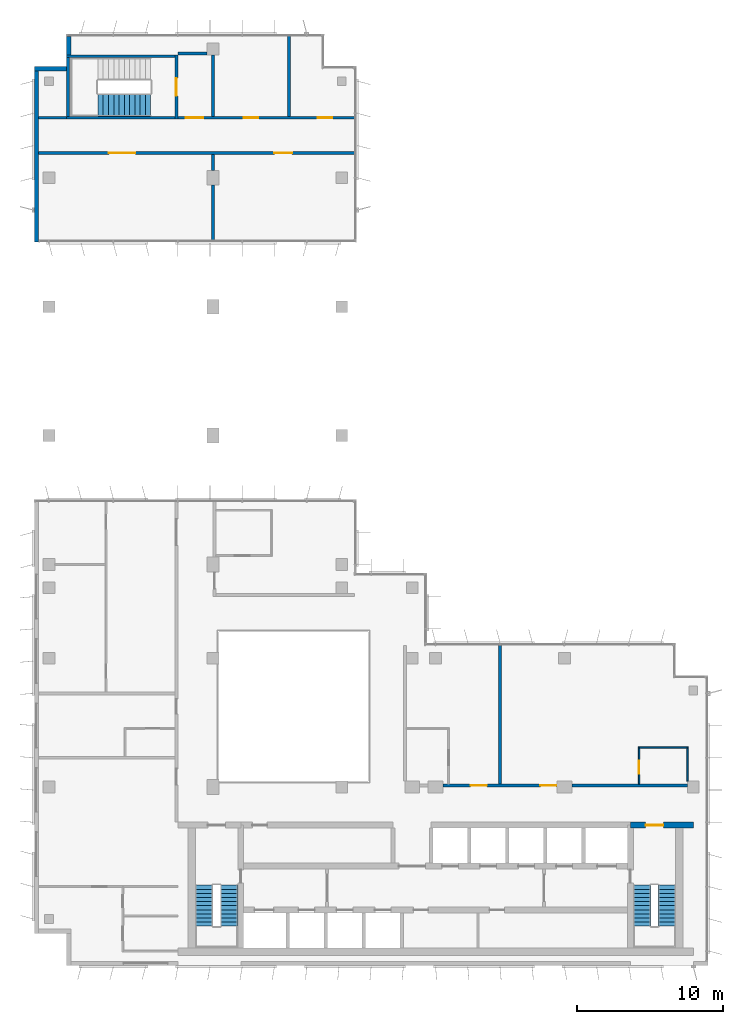
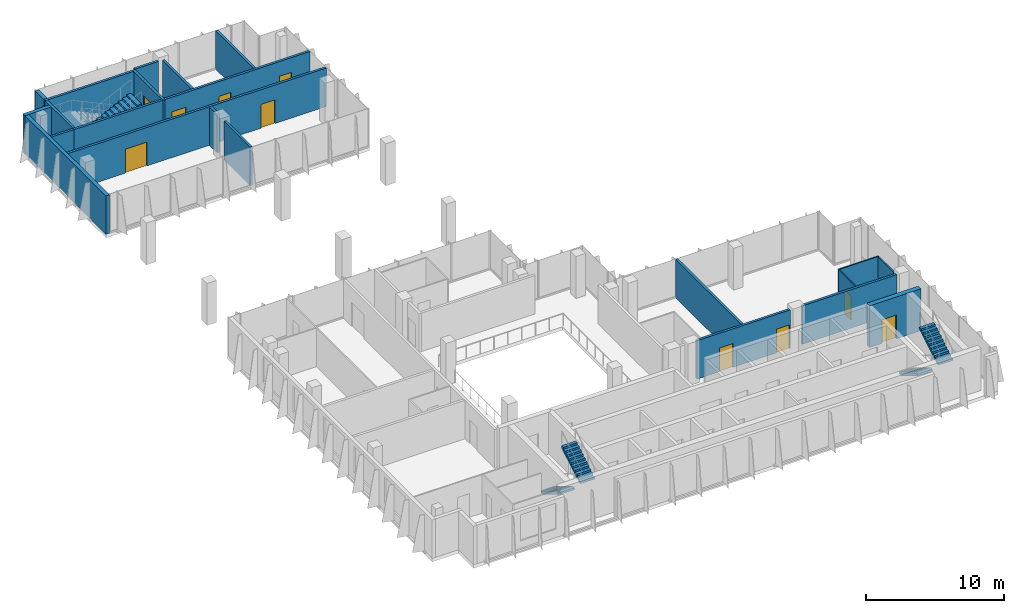
# One storey, part 11 of 14: 22 walls, 10 doors, 5 stair flights, 10 openings, 3 elements without a shape of their own.
"""IFC4 building model written with IfcOpenShell, lengths in metres."""

import ifcopenshell
import ifcopenshell.guid

model = None  # the IFC model being written
_history = None  # IfcOwnerHistory: only IFC2X3 demands one
_inside = {}  # id of a spatial element -> (the spatial element, [elements in it])
_under = {}  # id of a project, library or spatial element -> (it, [spatial elements below it])
_declared = {}  # id of a project -> (the project, [libraries it declares])
_typed = {}  # id of a type object -> (the type object, [elements of that type])
_made_of = {}  # id of a material, layer set ... -> (it, [elements and type objects made of it])


def new_model(schema):
    """Start an empty IFC model of exactly this schema.

    Asked for "IFC4X3", IfcOpenShell would pick the latest addendum, in which some entities
    have other attributes; the version numbers below select the first issue.
    IFC2X3 requires an IfcOwnerHistory on every rooted entity: one is made here for all.
    """
    global model, _history
    if schema == "IFC4X3":
        model = ifcopenshell.file(schema_version=(4, 3, 0, 0))
    else:
        model = ifcopenshell.file(schema=schema)
    _inside.clear()
    _under.clear()
    _declared.clear()
    _typed.clear()
    _made_of.clear()
    _history = None
    if model.schema == "IFC2X3":
        org = make("IfcOrganization", Name="unknown")
        user = make(
            "IfcPersonAndOrganization",
            ThePerson=make("IfcPerson", FamilyName="unknown"),
            TheOrganization=org,
        )
        app = make(
            "IfcApplication",
            ApplicationDeveloper=org,
            Version="unknown",
            ApplicationFullName="unknown",
            ApplicationIdentifier="unknown",
        )
        _history = make(
            "IfcOwnerHistory",
            OwningUser=user,
            OwningApplication=app,
            ChangeAction="ADDED",
            CreationDate=0,
        )
    return model


def make(cls, **values):
    """One entity of the class cls with the attributes given. An attribute that is None is left unset."""
    return model.create_entity(
        cls, **{name: value for name, value in values.items() if value is not None}
    )


def rooted(cls, **values):
    """An entity with a GlobalId (a new one), such as an element, a storey or a relation."""
    return make(cls, GlobalId=ifcopenshell.guid.new(), OwnerHistory=_history, **values)


def si_unit(unit_type, name, prefix=None):
    """IfcSIUnit, for example si_unit("LENGTHUNIT", "METRE", prefix="MILLI")."""
    return make("IfcSIUnit", UnitType=unit_type, Prefix=prefix, Name=name)


def assignment(units):
    """IfcUnitAssignment: the units of a project."""
    return None if units is None else make("IfcUnitAssignment", Units=units)


def point(xyz):
    """IfcCartesianPoint."""
    return None if xyz is None else make("IfcCartesianPoint", Coordinates=xyz)


def direction(xyz):
    """IfcDirection."""
    return None if xyz is None else make("IfcDirection", DirectionRatios=xyz)


def frame(location, z_axis=None, x_axis=None):
    """IfcAxis2Placement3D, a coordinate frame: its origin and axes. An axis left out is left unset."""
    return make(
        "IfcAxis2Placement3D",
        Location=point(location),
        Axis=direction(z_axis),
        RefDirection=direction(x_axis),
    )


def frame_2d(location, x_axis=None):
    """IfcAxis2Placement2D, a coordinate frame in the plane: its origin and x axis."""
    return make(
        "IfcAxis2Placement2D", Location=point(location), RefDirection=direction(x_axis)
    )


def origin():
    """The frame at (0, 0, 0) with its axes left unset."""
    return frame((0.0, 0.0, 0.0))


def place(relative_to, where):
    """IfcLocalPlacement: puts the frame where relative to a parent placement (None: the world)."""
    return make(
        "IfcLocalPlacement", PlacementRelTo=relative_to, RelativePlacement=where
    )


def context(
    kind, dimensions, precision=None, world=None, true_north=None, identifier=None
):
    """IfcGeometricRepresentationContext, for example the 3D "Model" context."""
    return make(
        "IfcGeometricRepresentationContext",
        ContextIdentifier=identifier,
        ContextType=kind,
        CoordinateSpaceDimension=dimensions,
        Precision=precision,
        WorldCoordinateSystem=world,
        TrueNorth=true_north,
    )


def subcontext(parent, identifier, kind, view, scale=None):
    """IfcGeometricRepresentationSubContext, for example "Body" below "Model"."""
    return make(
        "IfcGeometricRepresentationSubContext",
        ContextIdentifier=identifier,
        ContextType=kind,
        ParentContext=parent,
        TargetScale=scale,
        TargetView=view,
    )


def project(units=None, contexts=None):
    """IfcProject with its units and contexts."""
    return rooted(
        "IfcProject",
        Name="project",
        RepresentationContexts=contexts,
        UnitsInContext=assignment(units),
    )


def spatial(cls, under=None, at=None, **own):
    """A site, building, storey or space (cls), placed at a placement, below another one or the project."""
    s = rooted(cls, ObjectPlacement=at, **own)
    if under is not None:
        _under.setdefault(under.id(), (under, []))[1].append(s)
    return s


def polyline(points):
    """IfcPolyline through the points."""
    return make("IfcPolyline", Points=[point(p) for p in points])


def profile(cls, at=None, kind="AREA", **sizes):
    """A parametric profile (cls). Its sizes go by their IFC names, for example OverallWidth=200.0."""
    return make(cls, ProfileType=kind, Position=at, **sizes)


def rectangle(**sizes):
    """IfcRectangleProfileDef."""
    return profile("IfcRectangleProfileDef", **sizes)


def outline(outer, holes=None, kind="AREA"):
    """IfcArbitraryClosedProfileDef: a profile drawn as a closed curve; with holes, ...WithVoids."""
    if holes is None:
        return make("IfcArbitraryClosedProfileDef", ProfileType=kind, OuterCurve=outer)
    return make(
        "IfcArbitraryProfileDefWithVoids",
        ProfileType=kind,
        OuterCurve=outer,
        InnerCurves=holes,
    )


def extrude(swept, where, along, depth):
    """IfcExtrudedAreaSolid: the profile swept, set in the frame where, extruded along a direction by depth."""
    return make(
        "IfcExtrudedAreaSolid",
        SweptArea=swept,
        Position=where,
        ExtrudedDirection=direction(along),
        Depth=depth,
    )


def shape(context_of_items, identifier, shape_type, items):
    """IfcShapeRepresentation: the items that make up one representation, for example the "Body"."""
    return make(
        "IfcShapeRepresentation",
        ContextOfItems=context_of_items,
        RepresentationIdentifier=identifier,
        RepresentationType=shape_type,
        Items=items,
    )


def material(Name=None, Category=None):
    """IfcMaterial."""
    return make("IfcMaterial", Name=Name, Category=Category)


def layer(
    of_material, thickness, ventilated=None, Name=None, Category=None, Priority=None
):
    """IfcMaterialLayer: one layer of a wall or slab, of a material (None: an air gap)."""
    return make(
        "IfcMaterialLayer",
        Material=of_material,
        LayerThickness=thickness,
        IsVentilated=ventilated,
        Name=Name,
        Category=Category,
        Priority=Priority,
    )


def layer_set(layers, Name=None):
    """IfcMaterialLayerSet."""
    return make("IfcMaterialLayerSet", MaterialLayers=layers, LayerSetName=Name)


def made_of(thing, what):
    """Note that an element or type object is made of a material, layer set ...; save() writes the relation."""
    if what is not None:
        _made_of.setdefault(what.id(), (what, []))[1].append(thing)
    return thing


def type_object(cls, material=None, **own):
    """A type object (cls), such as IfcWallType, which elements share."""
    return made_of(rooted(cls, **own), material)


def element(
    cls,
    number,
    at=None,
    inside=None,
    cuts=None,
    type_object=None,
    material=None,
    context=None,
    identifier="Body",
    shape_type=None,
    held_by="IfcProductDefinitionShape",
    body=None,
    shapes=None,
    **own,
):
    """One element of the class cls, such as IfcWall. Its Tag is "e" and its number.

    at: its placement. inside: the storey or other place that contains it. cuts: it is an
    opening in that element (IfcRelVoidsElement). A single representation is given by context,
    identifier, shape_type and body (its items); several are given by shapes. held_by: the class
    of the entity that holds the representations. save() writes the other relations.
    """
    e = rooted(cls, Tag="e%d" % number, ObjectPlacement=at, **own)
    if body is not None:
        shapes = [shape(context, identifier, shape_type, body)]
    if shapes is not None:
        e.Representation = make(held_by, Representations=shapes)
    if inside is not None:
        _inside.setdefault(inside.id(), (inside, []))[1].append(e)
    if cuts is not None:
        rooted(
            "IfcRelVoidsElement", RelatingBuildingElement=cuts, RelatedOpeningElement=e
        )
    if type_object is not None:
        _typed.setdefault(type_object.id(), (type_object, []))[1].append(e)
    return made_of(e, material)


def fill(opening, filler):
    """IfcRelFillsElement: the door or window that sits in an opening."""
    return rooted(
        "IfcRelFillsElement",
        RelatingOpeningElement=opening,
        RelatedBuildingElement=filler,
    )


def aggregate(whole, parts):
    """IfcRelAggregates: a whole, such as a stair, and the parts it consists of."""
    return rooted("IfcRelAggregates", RelatingObject=whole, RelatedObjects=parts)


def save(model, path):
    """Write the relations noted so far, then the file.

    IfcRelAggregates (storeys below a building ...), IfcRelContainedInSpatialStructure (elements
    in a storey), IfcRelDefinesByType, IfcRelAssociatesMaterial and IfcRelDeclares: one each for
    every whole, place, type object, material and project.
    """
    for whole, parts in _under.values():
        aggregate(whole, parts)
    for where, things in _inside.values():
        rooted(
            "IfcRelContainedInSpatialStructure",
            RelatedElements=things,
            RelatingStructure=where,
        )
    for kind, things in _typed.values():
        rooted("IfcRelDefinesByType", RelatedObjects=things, RelatingType=kind)
    for what, things in _made_of.values():
        rooted("IfcRelAssociatesMaterial", RelatedObjects=things, RelatingMaterial=what)
    for by, libraries in _declared.values():
        rooted("IfcRelDeclares", RelatingContext=by, RelatedDefinitions=libraries)
    model.write(path)


model = new_model("IFC4")

# Units and contexts
model_context = context("Model", 3, precision=1e-05, world=origin(), true_north=direction((0.0, 1.0)))
body_context = subcontext(model_context, "Body", "Model", "MODEL_VIEW")
ifc_project = project(units=[si_unit("LENGTHUNIT", "METRE"), si_unit("AREAUNIT", "SQUARE_METRE"), si_unit("VOLUMEUNIT", "CUBIC_METRE"), si_unit("PLANEANGLEUNIT", "RADIAN"), si_unit("MASSUNIT", "GRAM", prefix="KILO")], contexts=[model_context])

# Site, building, storey
site_placement = place(None, origin())
site = spatial("IfcSite", under=ifc_project, at=site_placement, CompositionType="ELEMENT")
building_placement = place(site_placement, origin())
building = spatial("IfcBuilding", under=site, at=building_placement, Name="Kemantara Hotel Tower", CompositionType="ELEMENT")
storey_placement = place(building_placement, frame((0.0, 0.0, 248.699951171875)))
storey = spatial("IfcBuildingStorey", under=building, at=storey_placement, Name="L62", CompositionType="ELEMENT", Elevation=248.699951171875)

# Walls
ifc_material_1 = material(Name="Bronze anodised aluminium cladding on insulated steel stud wall", Category="steel")
ifc_layer_1 = layer(ifc_material_1, 0.300048828125)
ifc_layer_set_1 = layer_set([ifc_layer_1], Name="Bronze anodised aluminium cladding on insulated steel stud wall")
wall_type_1 = type_object("IfcWallType", Name="BRONZE METAL-CLAD EXTERNAL WALL 300", PredefinedType="STANDARD", material=ifc_layer_set_1)
wall_1_placement = place(storey_placement, frame((2.35009765625, 63.449951171875, 0.0), z_axis=(0.0, 0.0, 1.0), x_axis=(0.0, -1.0, 0.0)))
element("IfcWall", 1, at=wall_1_placement, inside=storey, type_object=wall_type_1, Name="EXTERNAL WALL L62 T4P-R17", PredefinedType="STANDARD", context=body_context, shape_type="SweptSolid", body=[
    extrude(rectangle(XDim=1.25, YDim=0.300048828125, at=frame_2d((0.625, 0.0))), origin(), (0.0, 0.0, 1.0), 3.400146484375),
])
wall_2_placement = place(storey_placement, frame((2.199951171875, 61.25, 0.0), z_axis=(0.0, 0.0, 1.0), x_axis=(-1.0, 0.0, 0.0)))
element("IfcWall", 2, at=wall_2_placement, inside=storey, type_object=wall_type_1, Name="EXTERNAL WALL L62 T4P-R18", PredefinedType="STANDARD", context=body_context, shape_type="SweptSolid", body=[
    extrude(rectangle(XDim=2.199951171875, YDim=0.300048828125, at=frame_2d((1.10009765625, 0.0))), origin(), (0.0, 0.0, 1.0), 3.400146484375),
])
wall_3_placement = place(storey_placement, frame((0.14990234375, 61.10009765625, 0.0), z_axis=(0.0, 0.0, 1.0), x_axis=(0.0, -1.0, 0.0)))
element("IfcWall", 3, at=wall_3_placement, inside=storey, type_object=wall_type_1, Name="EXTERNAL WALL L62 T4P-R19", PredefinedType="STANDARD", context=body_context, shape_type="SweptSolid", body=[
    extrude(rectangle(XDim=11.7001953125, YDim=0.300048828125, at=frame_2d((5.85009765625, 0.0))), origin(), (0.0, 0.0, 1.0), 3.400146484375),
])

# Wall, opening, door
ifc_material_2 = material(Name="Concrete fc 60 MPa", Category="concrete")
ifc_layer_2 = layer(ifc_material_2, 0.39990234375)
ifc_layer_set_2 = layer_set([ifc_layer_2], Name="Concrete fc 60 MPa")
wall_type_2 = type_object("IfcWallType", Name="CORE WALL 400 FC60", PredefinedType="SHEAR", material=ifc_layer_set_2)
wall_4_placement = place(storey_placement, frame((40.699951171875, 9.60009765625, 0.0), z_axis=(0.0, 0.0, 1.0), x_axis=(1.0, 0.0, 0.0)))
wall_4 = element("IfcWall", 4, at=wall_4_placement, inside=storey, type_object=wall_type_2, Name="CORE WALL CW-N2", PredefinedType="SHEAR", context=body_context, shape_type="SweptSolid", body=[
    extrude(rectangle(XDim=4.300048828125, YDim=0.39990234375, at=frame_2d((2.14990234375, 0.0))), origin(), (0.0, 0.0, 1.0), 3.699951171875),
])
opening_1_placement = place(wall_4_placement, frame((1.050048828125, 0.0, 0.0)))
opening_1 = element("IfcOpeningElement", 5, at=opening_1_placement, cuts=wall_4, Name="Opening C37-ST2-C", PredefinedType="OPENING", context=body_context, shape_type="SweptSolid", body=[
    extrude(rectangle(XDim=1.199951171875, YDim=2.10009765625, at=frame_2d((0.60009765625, 1.050048828125))), frame((0.0, 0.2099609375, 0.0), z_axis=(0.0, -1.0, 0.0), x_axis=(1.0, 0.0, 0.0)), (0.0, 0.0, 1.0), 0.419921875),
])
ifc_material_3 = material(Name="Steel fire door", Category="steel")
door_type_1 = type_object("IfcDoorType", Name="Fire door FD90 1200 x 2100", OperationType="NOTDEFINED", PredefinedType="DOOR", material=ifc_material_3)
door_1_placement = place(opening_1_placement, frame((1.199951171875, 0.0, 0.0), z_axis=(0.0, 0.0, 1.0), x_axis=(-1.0, 0.0, 0.0)))
door_1 = element("IfcDoor", 6, at=door_1_placement, inside=storey, type_object=door_type_1, Name="Stair ST2 door to corridor", OperationType="SINGLE_SWING_RIGHT", OverallHeight=2.10009765625, OverallWidth=1.199951171875, PredefinedType="DOOR", context=body_context, shape_type="SweptSolid", body=[
    extrude(rectangle(XDim=1.199951171875, YDim=2.10009765625, at=frame_2d((0.60009765625, 1.050048828125))), frame((0.0, 0.02490234375, 0.0), z_axis=(0.0, -1.0, 0.0), x_axis=(1.0, 0.0, 0.0)), (0.0, 0.0, 1.0), 0.050048828125),
])
fill(opening_1, door_1)

# Wall, openings, doors
ifc_material_4 = material(Name="Gypsum board partition, steel studs and mineral wool, 200 mm", Category="steel")
ifc_layer_3 = layer(ifc_material_4, 0.199951171875)
ifc_layer_set_3 = layer_set([ifc_layer_3], Name="Gypsum board partition, steel studs and mineral wool, 200 mm")
wall_type_3 = type_object("IfcWallType", Name="CORRIDOR WALL 200", PredefinedType="PARTITIONING", material=ifc_layer_set_3)
wall_5_placement = place(storey_placement, frame((27.900146484375, 12.300048828125, 0.0), z_axis=(0.0, 0.0, 1.0), x_axis=(1.0, 0.0, 0.0)))
wall_5 = element("IfcWall", 7, at=wall_5_placement, inside=storey, type_object=wall_type_3, Name="CORRIDOR WALL 200 010", PredefinedType="PARTITIONING", context=body_context, shape_type="SweptSolid", body=[
    extrude(rectangle(XDim=7.7998046875, YDim=0.199951171875, at=frame_2d((3.89990234375, 0.0))), origin(), (0.0, 0.0, 1.0), 3.400146484375),
])
opening_2_placement = place(wall_5_placement, frame((1.89990234375, 0.0, 0.0)))
opening_2 = element("IfcOpeningElement", 8, at=opening_2_placement, cuts=wall_5, Name="Opening F31-001", PredefinedType="OPENING", context=body_context, shape_type="SweptSolid", body=[
    extrude(rectangle(XDim=1.10009765625, YDim=2.10009765625, at=frame_2d((0.550048828125, 1.050048828125))), frame((0.0, 0.10986328125, 0.0), z_axis=(0.0, -1.0, 0.0), x_axis=(1.0, 0.0, 0.0)), (0.0, 0.0, 1.0), 0.219970703125),
])
opening_3_placement = place(wall_5_placement, frame((6.64990234375, 0.0, 0.0)))
opening_3 = element("IfcOpeningElement", 9, at=opening_3_placement, cuts=wall_5, Name="Opening F31-003", PredefinedType="OPENING", context=body_context, shape_type="SweptSolid", body=[
    extrude(rectangle(XDim=1.10009765625, YDim=2.10009765625, at=frame_2d((0.550048828125, 1.050048828125))), frame((0.0, 0.10986328125, 0.0), z_axis=(0.0, -1.0, 0.0), x_axis=(1.0, 0.0, 0.0)), (0.0, 0.0, 1.0), 0.219970703125),
])
ifc_material_5 = material(Name="Hardwood veneer door leaf with steel frame", Category="steel")
door_type_2 = type_object("IfcDoorType", Name="GUEST ROOM DOOR 1100 X 2100 FD30S", OperationType="NOTDEFINED", PredefinedType="DOOR", material=ifc_material_5)
door_2_placement = place(opening_2_placement, origin())
door_2 = element("IfcDoor", 10, at=door_2_placement, inside=storey, type_object=door_type_2, Name="GUEST ROOM DOOR F31-001", OperationType="SINGLE_SWING_RIGHT", OverallHeight=2.10009765625, OverallWidth=1.10009765625, PredefinedType="DOOR", context=body_context, shape_type="SweptSolid", body=[
    extrude(rectangle(XDim=1.10009765625, YDim=2.10009765625, at=frame_2d((0.550048828125, 1.050048828125))), frame((0.0, 0.02490234375, 0.0), z_axis=(0.0, -1.0, 0.0), x_axis=(1.0, 0.0, 0.0)), (0.0, 0.0, 1.0), 0.050048828125),
])
fill(opening_2, door_2)
door_type_3 = type_object("IfcDoorType", Name="SUITE ENTRANCE DOOR 1100 X 2100 FD30S", OperationType="NOTDEFINED", PredefinedType="DOOR", material=ifc_material_5)
door_3_placement = place(opening_3_placement, origin())
door_3 = element("IfcDoor", 11, at=door_3_placement, inside=storey, type_object=door_type_3, Name="SUITE ENTRANCE DOOR F31-003", OperationType="SINGLE_SWING_LEFT", OverallHeight=2.10009765625, OverallWidth=1.10009765625, PredefinedType="DOOR", context=body_context, shape_type="SweptSolid", body=[
    extrude(rectangle(XDim=1.10009765625, YDim=2.10009765625, at=frame_2d((0.550048828125, 1.050048828125))), frame((0.0, 0.02490234375, 0.0), z_axis=(0.0, -1.0, 0.0), x_axis=(1.0, 0.0, 0.0)), (0.0, 0.0, 1.0), 0.050048828125),
])
fill(opening_3, door_3)

# Wall
wall_6_placement = place(storey_placement, frame((36.7001953125, 12.300048828125, 0.0), z_axis=(0.0, 0.0, 1.0), x_axis=(1.0, 0.0, 0.0)))
element("IfcWall", 12, at=wall_6_placement, inside=storey, type_object=wall_type_3, Name="CORRIDOR WALL 200 011", PredefinedType="PARTITIONING", context=body_context, shape_type="SweptSolid", body=[
    extrude(rectangle(XDim=7.899658203125, YDim=0.199951171875, at=frame_2d((3.94970703125, 0.0))), origin(), (0.0, 0.0, 1.0), 3.400146484375),
])

# Wall, opening, door
ifc_material_6 = material(Name="Concrete fc 40 MPa", Category="concrete")
ifc_layer_4 = layer(ifc_material_6, 0.199951171875)
ifc_layer_set_4 = layer_set([ifc_layer_4], Name="Concrete fc 40 MPa")
wall_type_4 = type_object("IfcWallType", Name="Concrete stair wall 200 mm", PredefinedType="SHEAR", material=ifc_layer_set_4)
wall_7_placement = place(storey_placement, frame((9.699951171875, 57.800048828125, 0.0), z_axis=(0.0, 0.0, 1.0), x_axis=(0.0, 1.0, 0.0)))
wall_7 = element("IfcWall", 13, at=wall_7_placement, inside=storey, type_object=wall_type_4, Name="Stair ST4 enclosure wall with door", PredefinedType="SHEAR", context=body_context, shape_type="SweptSolid", body=[
    extrude(rectangle(XDim=4.39990234375, YDim=0.199951171875, at=frame_2d((2.199951171875, 0.0))), origin(), (0.0, 0.0, 1.0), 3.400146484375),
])
opening_4_placement = place(wall_7_placement, frame((1.60009765625, 0.0, 0.0)))
opening_4 = element("IfcOpeningElement", 14, at=opening_4_placement, cuts=wall_7, Name="Opening ST4-C", PredefinedType="OPENING", context=body_context, shape_type="SweptSolid", body=[
    extrude(rectangle(XDim=1.199951171875, YDim=2.10009765625, at=frame_2d((0.60009765625, 1.050048828125))), frame((0.0, 0.10986328125, 0.0), z_axis=(0.0, -1.0, 0.0), x_axis=(1.0, 0.0, 0.0)), (0.0, 0.0, 1.0), 0.219970703125),
])
door_4_placement = place(opening_4_placement, origin())
door_4 = element("IfcDoor", 15, at=door_4_placement, inside=storey, type_object=door_type_1, Name="Stair ST4 door", OperationType="SINGLE_SWING_RIGHT", OverallHeight=2.10009765625, OverallWidth=1.199951171875, PredefinedType="DOOR", context=body_context, shape_type="SweptSolid", body=[
    extrude(rectangle(XDim=1.199951171875, YDim=2.10009765625, at=frame_2d((0.60009765625, 1.050048828125))), frame((0.0, 0.02490234375, 0.0), z_axis=(0.0, -1.0, 0.0), x_axis=(1.0, 0.0, 0.0)), (0.0, 0.0, 1.0), 0.050048828125),
])
fill(opening_4, door_4)

# Walls
for number, where, z_axis, x_axis, name in (
    (16, (2.199951171875, 62.10009765625, 0.0), (0.0, 0.0, 1.0), (1.0, 0.0, 0.0), "Stair ST4 enclosure wall N"),
    (17, (2.199951171875, 57.89990234375, 0.0), (0.0, 0.0, 1.0), (1.0, 0.0, 0.0), "Stair ST4 enclosure wall S"),
):
    element("IfcWall", number, at=place(storey_placement, frame(where, z_axis=z_axis, x_axis=x_axis)), inside=storey, type_object=wall_type_4, Name=name, PredefinedType="SHEAR", context=body_context, shape_type="SweptSolid", body=[
        extrude(rectangle(XDim=7.400146484375, YDim=0.199951171875, at=frame_2d((3.7001953125, 0.0))), origin(), (0.0, 0.0, 1.0), 3.400146484375),
    ])
wall_8_placement = place(storey_placement, frame((2.300048828125, 58.0, 0.0), z_axis=(0.0, 0.0, 1.0), x_axis=(0.0, 1.0, 0.0)))
element("IfcWall", 18, at=wall_8_placement, inside=storey, type_object=wall_type_4, Name="Stair ST4 enclosure wall W", PredefinedType="SHEAR", context=body_context, shape_type="SweptSolid", body=[
    extrude(rectangle(XDim=4.0, YDim=0.199951171875, at=frame_2d((2.0, 0.0))), origin(), (0.0, 0.0, 1.0), 3.400146484375),
])
ifc_layer_5 = layer(ifc_material_4, 0.199951171875)
ifc_layer_set_5 = layer_set([ifc_layer_5], Name="Gypsum board partition, steel studs and mineral wool, 200 mm")
wall_type_5 = type_object("IfcWallType", Name="GUEST ROOM PARTY WALL 200", PredefinedType="PARTITIONING", material=ifc_layer_set_5)
wall_9_placement = place(storey_placement, frame((31.800048828125, 12.39990234375, 0.0), z_axis=(0.0, 0.0, 1.0), x_axis=(0.0, 1.0, 0.0)))
element("IfcWall", 19, at=wall_9_placement, inside=storey, type_object=wall_type_5, Name="GUEST ROOM PARTY WALL 200 013", PredefinedType="PARTITIONING", context=body_context, shape_type="SweptSolid", body=[
    extrude(rectangle(XDim=9.47021484375, YDim=0.199951171875, at=frame_2d((4.735107421875, 0.0))), origin(), (0.0, 0.0, 1.0), 3.400146484375),
])

# Wall, openings, doors
ifc_material_7 = material(Name="Gypsum board partition, steel studs and mineral wool, double layer, 200 mm", Category="steel")
ifc_layer_6 = layer(ifc_material_7, 0.199951171875)
ifc_layer_set_6 = layer_set([ifc_layer_6], Name="Gypsum board partition, steel studs and mineral wool, double layer, 200 mm")
wall_type_6 = type_object("IfcWallType", Name="PLANT ROOM WALL 200", PredefinedType="PARTITIONING", material=ifc_layer_set_6)
wall_10_placement = place(storey_placement, frame((0.300048828125, 55.5, 0.0), z_axis=(0.0, 0.0, 1.0), x_axis=(1.0, 0.0, 0.0)))
wall_10 = element("IfcWall", 20, at=wall_10_placement, inside=storey, type_object=wall_type_6, Name="PLANT ROOM WALL 200 001", PredefinedType="PARTITIONING", context=body_context, shape_type="SweptSolid", body=[
    extrude(rectangle(XDim=21.579833984375, YDim=0.199951171875, at=frame_2d((10.7900390625, 0.0))), origin(), (0.0, 0.0, 1.0), 3.400146484375),
])
opening_5_placement = place(wall_10_placement, frame((4.7998046875, 0.0, 0.0)))
opening_5 = element("IfcOpeningElement", 21, at=opening_5_placement, cuts=wall_10, Name="Opening F31-016", PredefinedType="OPENING", context=body_context, shape_type="SweptSolid", body=[
    extrude(rectangle(XDim=1.800048828125, YDim=2.10009765625, at=frame_2d((0.89990234375, 1.050048828125))), frame((0.0, 0.10986328125, 0.0), z_axis=(0.0, -1.0, 0.0), x_axis=(1.0, 0.0, 0.0)), (0.0, 0.0, 1.0), 0.219970703125),
])
opening_6_placement = place(wall_10_placement, frame((16.099853515625, 0.0, 0.0)))
opening_6 = element("IfcOpeningElement", 22, at=opening_6_placement, cuts=wall_10, Name="Opening F31-017", PredefinedType="OPENING", context=body_context, shape_type="SweptSolid", body=[
    extrude(rectangle(XDim=1.199951171875, YDim=2.10009765625, at=frame_2d((0.60009765625, 1.050048828125))), frame((0.0, 0.10986328125, 0.0), z_axis=(0.0, -1.0, 0.0), x_axis=(1.0, 0.0, 0.0)), (0.0, 0.0, 1.0), 0.219970703125),
])
ifc_material_8 = material(Name="Steel door leaf with steel frame", Category="steel")
door_type_4 = type_object("IfcDoorType", Name="SERVICE ROOM DOOR 1200 X 2100 FD60", OperationType="NOTDEFINED", PredefinedType="DOOR", material=ifc_material_8)
door_5_placement = place(opening_6_placement, origin())
door_5 = element("IfcDoor", 23, at=door_5_placement, inside=storey, type_object=door_type_4, Name="SERVICE ROOM DOOR F31-017", OperationType="SINGLE_SWING_LEFT", OverallHeight=2.10009765625, OverallWidth=1.199951171875, PredefinedType="DOOR", context=body_context, shape_type="SweptSolid", body=[
    extrude(rectangle(XDim=1.199951171875, YDim=2.10009765625, at=frame_2d((0.60009765625, 1.050048828125))), frame((0.0, 0.02490234375, 0.0), z_axis=(0.0, -1.0, 0.0), x_axis=(1.0, 0.0, 0.0)), (0.0, 0.0, 1.0), 0.050048828125),
])
fill(opening_6, door_5)
door_type_5 = type_object("IfcDoorType", Name="SERVICE ROOM DOOR 1800 X 2100 FD60", OperationType="NOTDEFINED", PredefinedType="DOOR", material=ifc_material_8)
door_6_placement = place(opening_5_placement, origin())
door_6 = element("IfcDoor", 24, at=door_6_placement, inside=storey, type_object=door_type_5, Name="SERVICE ROOM DOOR F31-016", OperationType="DOUBLE_DOOR_SINGLE_SWING", OverallHeight=2.10009765625, OverallWidth=1.800048828125, PredefinedType="DOOR", context=body_context, shape_type="SweptSolid", body=[
    extrude(rectangle(XDim=1.800048828125, YDim=2.10009765625, at=frame_2d((0.89990234375, 1.050048828125))), frame((0.0, 0.02490234375, 0.0), z_axis=(0.0, -1.0, 0.0), x_axis=(1.0, 0.0, 0.0)), (0.0, 0.0, 1.0), 0.050048828125),
])
fill(opening_5, door_6)

# Walls
wall_11_placement = place(storey_placement, frame((12.199951171875, 49.52001953125, 0.0), z_axis=(0.0, 0.0, 1.0), x_axis=(0.0, 1.0, 0.0)))
element("IfcWall", 25, at=wall_11_placement, inside=storey, type_object=wall_type_6, Name="PLANT ROOM WALL 200 002", PredefinedType="PARTITIONING", context=body_context, shape_type="SweptSolid", body=[
    extrude(rectangle(XDim=3.77978515625, YDim=0.199951171875, at=frame_2d((1.889892578125, 0.0))), origin(), (0.0, 0.0, 1.0), 3.400146484375),
])
wall_12_placement = place(storey_placement, frame((12.199951171875, 54.300048828125, 0.0), z_axis=(0.0, 0.0, 1.0), x_axis=(0.0, 1.0, 0.0)))
element("IfcWall", 26, at=wall_12_placement, inside=storey, type_object=wall_type_6, Name="PLANT ROOM WALL 200 003", PredefinedType="PARTITIONING", context=body_context, shape_type="SweptSolid", body=[
    extrude(rectangle(XDim=1.099853515625, YDim=0.199951171875, at=frame_2d((0.5498046875, 0.0))), origin(), (0.0, 0.0, 1.0), 3.400146484375),
])
wall_13_placement = place(storey_placement, frame((12.199951171875, 58.0, 0.0), z_axis=(0.0, 0.0, 1.0), x_axis=(0.0, 1.0, 0.0)))
element("IfcWall", 27, at=wall_13_placement, inside=storey, type_object=wall_type_6, Name="PLANT ROOM WALL 200 004", PredefinedType="PARTITIONING", context=body_context, shape_type="SweptSolid", body=[
    extrude(rectangle(XDim=4.199951171875, YDim=0.199951171875, at=frame_2d((2.10009765625, 0.0))), origin(), (0.0, 0.0, 1.0), 3.400146484375),
])
wall_14_placement = place(storey_placement, frame((0.300048828125, 57.89990234375, 0.0), z_axis=(0.0, 0.0, 1.0), x_axis=(1.0, 0.0, 0.0)))
element("IfcWall", 28, at=wall_14_placement, inside=storey, type_object=wall_type_6, Name="PLANT ROOM WALL 200 005", PredefinedType="PARTITIONING", context=body_context, shape_type="SweptSolid", body=[
    extrude(rectangle(XDim=1.89990234375, YDim=0.199951171875, at=frame_2d((0.949951171875, 0.0))), origin(), (0.0, 0.0, 1.0), 3.400146484375),
])

# Wall, openings, doors
wall_15_placement = place(storey_placement, frame((21.8798828125, 57.89990234375, 0.0), z_axis=(0.0, 0.0, 1.0), x_axis=(-1.0, 0.0, 0.0)))
wall_15 = element("IfcWall", 29, at=wall_15_placement, inside=storey, type_object=wall_type_6, Name="PLANT ROOM WALL 200 006", PredefinedType="PARTITIONING", context=body_context, shape_type="SweptSolid", body=[
    extrude(rectangle(XDim=12.079833984375, YDim=0.199951171875, at=frame_2d((6.0400390625, 0.0))), origin(), (0.0, 0.0, 1.0), 3.400146484375),
])
opening_7_placement = place(wall_15_placement, frame((10.329833984375, 0.0, 0.0)))
opening_7 = element("IfcOpeningElement", 30, at=opening_7_placement, cuts=wall_15, Name="Opening F31-018", PredefinedType="OPENING", context=body_context, shape_type="SweptSolid", body=[
    extrude(rectangle(XDim=1.199951171875, YDim=2.10009765625, at=frame_2d((0.60009765625, 1.050048828125))), frame((0.0, 0.10986328125, 0.0), z_axis=(0.0, -1.0, 0.0), x_axis=(1.0, 0.0, 0.0)), (0.0, 0.0, 1.0), 0.219970703125),
])
opening_8_placement = place(wall_15_placement, frame((6.579833984375, 0.0, 0.0)))
opening_8 = element("IfcOpeningElement", 31, at=opening_8_placement, cuts=wall_15, Name="Opening F31-019", PredefinedType="OPENING", context=body_context, shape_type="SweptSolid", body=[
    extrude(rectangle(XDim=1.0, YDim=2.10009765625, at=frame_2d((0.5, 1.050048828125))), frame((0.0, 0.10986328125, 0.0), z_axis=(0.0, -1.0, 0.0), x_axis=(1.0, 0.0, 0.0)), (0.0, 0.0, 1.0), 0.219970703125),
])
opening_9_placement = place(wall_15_placement, frame((1.52978515625, 0.0, 0.0)))
opening_9 = element("IfcOpeningElement", 32, at=opening_9_placement, cuts=wall_15, Name="Opening F31-020", PredefinedType="OPENING", context=body_context, shape_type="SweptSolid", body=[
    extrude(rectangle(XDim=1.0, YDim=2.10009765625, at=frame_2d((0.5, 1.050048828125))), frame((0.0, 0.10986328125, 0.0), z_axis=(0.0, -1.0, 0.0), x_axis=(1.0, 0.0, 0.0)), (0.0, 0.0, 1.0), 0.219970703125),
])
door_type_6 = type_object("IfcDoorType", Name="SERVICE ROOM DOOR 1000 X 2100 FD60", OperationType="NOTDEFINED", PredefinedType="DOOR", material=ifc_material_8)
door_7_placement = place(opening_8_placement, origin())
door_7 = element("IfcDoor", 33, at=door_7_placement, inside=storey, type_object=door_type_6, Name="SERVICE ROOM DOOR F31-019", OperationType="SINGLE_SWING_RIGHT", OverallHeight=2.10009765625, OverallWidth=1.0, PredefinedType="DOOR", context=body_context, shape_type="SweptSolid", body=[
    extrude(rectangle(XDim=1.0, YDim=2.10009765625, at=frame_2d((0.5, 1.050048828125))), frame((0.0, 0.02490234375, 0.0), z_axis=(0.0, -1.0, 0.0), x_axis=(1.0, 0.0, 0.0)), (0.0, 0.0, 1.0), 0.050048828125),
])
fill(opening_8, door_7)
door_8_placement = place(opening_9_placement, origin())
door_8 = element("IfcDoor", 34, at=door_8_placement, inside=storey, type_object=door_type_6, Name="SERVICE ROOM DOOR F31-020", OperationType="SINGLE_SWING_RIGHT", OverallHeight=2.10009765625, OverallWidth=1.0, PredefinedType="DOOR", context=body_context, shape_type="SweptSolid", body=[
    extrude(rectangle(XDim=1.0, YDim=2.10009765625, at=frame_2d((0.5, 1.050048828125))), frame((0.0, 0.02490234375, 0.0), z_axis=(0.0, -1.0, 0.0), x_axis=(1.0, 0.0, 0.0)), (0.0, 0.0, 1.0), 0.050048828125),
])
fill(opening_9, door_8)
door_9_placement = place(opening_7_placement, origin())
door_9 = element("IfcDoor", 35, at=door_9_placement, inside=storey, type_object=door_type_4, Name="SERVICE ROOM DOOR F31-018", OperationType="SINGLE_SWING_RIGHT", OverallHeight=2.10009765625, OverallWidth=1.199951171875, PredefinedType="DOOR", context=body_context, shape_type="SweptSolid", body=[
    extrude(rectangle(XDim=1.199951171875, YDim=2.10009765625, at=frame_2d((0.60009765625, 1.050048828125))), frame((0.0, 0.02490234375, 0.0), z_axis=(0.0, -1.0, 0.0), x_axis=(1.0, 0.0, 0.0)), (0.0, 0.0, 1.0), 0.050048828125),
])
fill(opening_7, door_9)

# Walls
wall_16_placement = place(storey_placement, frame((17.39990234375, 58.0, 0.0), z_axis=(0.0, 0.0, 1.0), x_axis=(0.0, 1.0, 0.0)))
element("IfcWall", 36, at=wall_16_placement, inside=storey, type_object=wall_type_6, Name="PLANT ROOM WALL 200 007", PredefinedType="PARTITIONING", context=body_context, shape_type="SweptSolid", body=[
    extrude(rectangle(XDim=5.47998046875, YDim=0.199951171875, at=frame_2d((2.739990234375, 0.0))), origin(), (0.0, 0.0, 1.0), 3.400146484375),
])
wall_17_placement = place(storey_placement, frame((9.800048828125, 62.300048828125, 0.0), z_axis=(0.0, 0.0, 1.0), x_axis=(1.0, 0.0, 0.0)))
element("IfcWall", 37, at=wall_17_placement, inside=storey, type_object=wall_type_6, Name="PLANT ROOM WALL 200 008", PredefinedType="PARTITIONING", context=body_context, shape_type="SweptSolid", body=[
    extrude(rectangle(XDim=1.999755859375, YDim=0.199951171875, at=frame_2d((1.0, 0.0))), origin(), (0.0, 0.0, 1.0), 3.400146484375),
])
ifc_material_9 = material(Name="Gypsum board partition on steel studs, 100 mm", Category="steel")
ifc_layer_7 = layer(ifc_material_9, 0.10009765625)
ifc_layer_set_7 = layer_set([ifc_layer_7], Name="Gypsum board partition on steel studs, 100 mm")
wall_type_7 = type_object("IfcWallType", Name="ROOM PARTITION 100", PredefinedType="PARTITIONING", material=ifc_layer_set_7)
wall_18_placement = place(storey_placement, frame((41.25, 14.89990234375, 0.0), z_axis=(0.0, 0.0, 1.0), x_axis=(1.0, 0.0, 0.0)))
element("IfcWall", 38, at=wall_18_placement, inside=storey, type_object=wall_type_7, Name="ROOM PARTITION 100 023", PredefinedType="PARTITIONING", context=body_context, shape_type="SweptSolid", body=[
    extrude(rectangle(XDim=3.39990234375, YDim=0.10009765625, at=frame_2d((1.699951171875, 0.0))), origin(), (0.0, 0.0, 1.0), 3.400146484375),
])

# Wall, opening, door
wall_19_placement = place(storey_placement, frame((41.300048828125, 14.85009765625, 0.0), z_axis=(0.0, 0.0, 1.0), x_axis=(0.0, -1.0, 0.0)))
wall_19 = element("IfcWall", 39, at=wall_19_placement, inside=storey, type_object=wall_type_7, Name="ROOM PARTITION 100 024", PredefinedType="PARTITIONING", context=body_context, shape_type="SweptSolid", body=[
    extrude(rectangle(XDim=2.4501953125, YDim=0.10009765625, at=frame_2d((1.22509765625, 0.0))), origin(), (0.0, 0.0, 1.0), 3.400146484375),
])
opening_10_placement = place(wall_19_placement, frame((0.85009765625, 0.0, 0.0)))
opening_10 = element("IfcOpeningElement", 40, at=opening_10_placement, cuts=wall_19, Name="Opening F31-004", PredefinedType="OPENING", context=body_context, shape_type="SweptSolid", body=[
    extrude(rectangle(XDim=0.89990234375, YDim=2.10009765625, at=frame_2d((0.449951171875, 1.050048828125))), frame((0.0, 0.06005859375, 0.0), z_axis=(0.0, -1.0, 0.0), x_axis=(1.0, 0.0, 0.0)), (0.0, 0.0, 1.0), 0.1201171875),
])
door_type_7 = type_object("IfcDoorType", Name="BATHROOM DOOR 900 X 2100", OperationType="NOTDEFINED", PredefinedType="DOOR", material=ifc_material_5)
door_10_placement = place(opening_10_placement, origin())
door_10 = element("IfcDoor", 41, at=door_10_placement, inside=storey, type_object=door_type_7, Name="BATHROOM DOOR F31-004", OperationType="SINGLE_SWING_RIGHT", OverallHeight=2.10009765625, OverallWidth=0.89990234375, PredefinedType="DOOR", context=body_context, shape_type="SweptSolid", body=[
    extrude(rectangle(XDim=0.89990234375, YDim=2.10009765625, at=frame_2d((0.449951171875, 1.050048828125))), frame((0.0, 0.02490234375, 0.0), z_axis=(0.0, -1.0, 0.0), x_axis=(1.0, 0.0, 0.0)), (0.0, 0.0, 1.0), 0.050048828125),
])
fill(opening_10, door_10)

# Wall
wall_20_placement = place(storey_placement, frame((44.60009765625, 12.60009765625, 0.0), z_axis=(0.0, 0.0, 1.0), x_axis=(0.0, 1.0, 0.0)))
element("IfcWall", 42, at=wall_20_placement, inside=storey, type_object=wall_type_7, Name="ROOM PARTITION 100 025", PredefinedType="PARTITIONING", context=body_context, shape_type="SweptSolid", body=[
    extrude(rectangle(XDim=2.25, YDim=0.10009765625, at=frame_2d((1.125, 0.0))), origin(), (0.0, 0.0, 1.0), 3.400146484375),
])

# Stair, stair flights
stair_type_1 = type_object("IfcStairType", Name="Stair 1200 wide 22 risers of 168 x 280 mm", PredefinedType="HALF_TURN_STAIR", material=ifc_material_6)
stair_1_placement = place(storey_placement, origin())
stair_1 = element("IfcStair", 43, at=stair_1_placement, inside=storey, type_object=stair_type_1, Name="L62 Exit stair ST1", PredefinedType="HALF_TURN_STAIR")
stair_flight_type_1 = type_object("IfcStairFlightType", Name="Stair flight 1200 wide 168 x 280 mm", PredefinedType="STRAIGHT", material=ifc_material_6)
stair_flight_1_placement = place(storey_placement, frame((11.60009765625, 5.5, 0.0), z_axis=(0.0, 0.0, 1.0), x_axis=(0.0, -1.0, 0.0)))
stair_flight_1 = element("IfcStairFlight", 44, at=stair_flight_1_placement, type_object=stair_flight_type_1, Name="ST1 flight 1", NumberOfRisers=11, NumberOfTreads=10, PredefinedType="STRAIGHT", RiserHeight=0.168181818, TreadLength=0.28, context=body_context, shape_type="SweptSolid", body=[
    extrude(outline(polyline([(0.0, 0.0), (0.0, 0.168212890625), (0.280029296875, 0.168212890625), (0.280029296875, 0.33642578125), (0.56005859375, 0.33642578125), (0.56005859375, 0.504638671875), (0.840087890625, 0.504638671875), (0.840087890625, 0.672607421875), (1.1201171875, 0.672607421875), (1.1201171875, 0.8408203125), (1.39990234375, 0.8408203125), (1.39990234375, 1.009033203125), (1.679931640625, 1.009033203125), (1.679931640625, 1.17724609375), (1.9599609375, 1.17724609375), (1.9599609375, 1.345458984375), (2.239990234375, 1.345458984375), (2.239990234375, 1.513671875), (2.52001953125, 1.513671875), (2.52001953125, 1.681884765625), (2.800048828125, 1.681884765625), (2.800048828125, 1.85009765625), (2.800048828125, 1.5068359375), (0.291015625, 0.0), (0.0, 0.0)])), frame((0.0, 0.60009765625, 0.0), z_axis=(0.0, -1.0, 0.0), x_axis=(1.0, 0.0, 0.0)), (0.0, 0.0, 1.0), 1.199951171875),
])
stair_flight_2_placement = place(storey_placement, frame((13.300048828125, 2.699951171875, 1.85009765625), z_axis=(0.0, 0.0, 1.0), x_axis=(0.0, 1.0, 0.0)))
stair_flight_2 = element("IfcStairFlight", 45, at=stair_flight_2_placement, type_object=stair_flight_type_1, Name="ST1 flight 2", NumberOfRisers=11, NumberOfTreads=10, PredefinedType="STRAIGHT", RiserHeight=0.168181818, TreadLength=0.28, context=body_context, shape_type="SweptSolid", body=[
    extrude(outline(polyline([(0.0, 0.0), (0.0, 0.168212890625), (0.280029296875, 0.168212890625), (0.280029296875, 0.33642578125), (0.56005859375, 0.33642578125), (0.56005859375, 0.504638671875), (0.840087890625, 0.504638671875), (0.840087890625, 0.672607421875), (1.1201171875, 0.672607421875), (1.1201171875, 0.8408203125), (1.39990234375, 0.8408203125), (1.39990234375, 1.009033203125), (1.679931640625, 1.009033203125), (1.679931640625, 1.17724609375), (1.9599609375, 1.17724609375), (1.9599609375, 1.345458984375), (2.239990234375, 1.345458984375), (2.239990234375, 1.513671875), (2.52001953125, 1.513671875), (2.52001953125, 1.681884765625), (2.800048828125, 1.681884765625), (2.800048828125, 1.85009765625), (2.800048828125, 1.5068359375), (0.291015625, 0.0), (0.0, 0.0)])), frame((0.0, 0.60009765625, 0.0), z_axis=(0.0, -1.0, 0.0), x_axis=(1.0, 0.0, 0.0)), (0.0, 0.0, 1.0), 1.199951171875),
])
aggregate(stair_1, [stair_flight_1, stair_flight_2])

stair_2_placement = place(storey_placement, origin())
stair_2 = element("IfcStair", 46, at=stair_2_placement, inside=storey, type_object=stair_type_1, Name="L62 Exit stair ST2", PredefinedType="HALF_TURN_STAIR")
stair_flight_3_placement = place(storey_placement, frame((41.5, 5.5, 0.0), z_axis=(0.0, 0.0, 1.0), x_axis=(0.0, -1.0, 0.0)))
stair_flight_3 = element("IfcStairFlight", 47, at=stair_flight_3_placement, type_object=stair_flight_type_1, Name="ST2 flight 1", NumberOfRisers=11, NumberOfTreads=10, PredefinedType="STRAIGHT", RiserHeight=0.168181818, TreadLength=0.28, context=body_context, shape_type="SweptSolid", body=[
    extrude(outline(polyline([(0.0, 0.0), (0.0, 0.168212890625), (0.280029296875, 0.168212890625), (0.280029296875, 0.33642578125), (0.56005859375, 0.33642578125), (0.56005859375, 0.504638671875), (0.840087890625, 0.504638671875), (0.840087890625, 0.672607421875), (1.1201171875, 0.672607421875), (1.1201171875, 0.8408203125), (1.39990234375, 0.8408203125), (1.39990234375, 1.009033203125), (1.679931640625, 1.009033203125), (1.679931640625, 1.17724609375), (1.9599609375, 1.17724609375), (1.9599609375, 1.345458984375), (2.239990234375, 1.345458984375), (2.239990234375, 1.513671875), (2.52001953125, 1.513671875), (2.52001953125, 1.681884765625), (2.800048828125, 1.681884765625), (2.800048828125, 1.85009765625), (2.800048828125, 1.5068359375), (0.291015625, 0.0), (0.0, 0.0)])), frame((0.0, 0.60009765625, 0.0), z_axis=(0.0, -1.0, 0.0), x_axis=(1.0, 0.0, 0.0)), (0.0, 0.0, 1.0), 1.199951171875),
])
stair_flight_4_placement = place(storey_placement, frame((43.199951171875, 2.699951171875, 1.85009765625), z_axis=(0.0, 0.0, 1.0), x_axis=(0.0, 1.0, 0.0)))
stair_flight_4 = element("IfcStairFlight", 48, at=stair_flight_4_placement, type_object=stair_flight_type_1, Name="ST2 flight 2", NumberOfRisers=11, NumberOfTreads=10, PredefinedType="STRAIGHT", RiserHeight=0.168181818, TreadLength=0.28, context=body_context, shape_type="SweptSolid", body=[
    extrude(outline(polyline([(0.0, 0.0), (0.0, 0.168212890625), (0.280029296875, 0.168212890625), (0.280029296875, 0.33642578125), (0.56005859375, 0.33642578125), (0.56005859375, 0.504638671875), (0.840087890625, 0.504638671875), (0.840087890625, 0.672607421875), (1.1201171875, 0.672607421875), (1.1201171875, 0.8408203125), (1.39990234375, 0.8408203125), (1.39990234375, 1.009033203125), (1.679931640625, 1.009033203125), (1.679931640625, 1.17724609375), (1.9599609375, 1.17724609375), (1.9599609375, 1.345458984375), (2.239990234375, 1.345458984375), (2.239990234375, 1.513671875), (2.52001953125, 1.513671875), (2.52001953125, 1.681884765625), (2.800048828125, 1.681884765625), (2.800048828125, 1.85009765625), (2.800048828125, 1.5068359375), (0.291015625, 0.0), (0.0, 0.0)])), frame((0.0, 0.60009765625, 0.0), z_axis=(0.0, -1.0, 0.0), x_axis=(1.0, 0.0, 0.0)), (0.0, 0.0, 1.0), 1.199951171875),
])
aggregate(stair_2, [stair_flight_3, stair_flight_4])

# Stair, stair flight
stair_type_2 = type_object("IfcStairType", Name="Stair 1550 wide 22 risers of 168 x 360 mm", PredefinedType="HALF_TURN_STAIR", material=ifc_material_6)
stair_3_placement = place(storey_placement, origin())
stair_3 = element("IfcStair", 49, at=stair_3_placement, inside=storey, type_object=stair_type_2, Name="L62 Exit stair ST4", PredefinedType="HALF_TURN_STAIR")
stair_flight_type_2 = type_object("IfcStairFlightType", Name="Stair flight 1550 wide 168 x 360 mm", PredefinedType="STRAIGHT", material=ifc_material_6)
stair_flight_5_placement = place(storey_placement, frame((4.35009765625, 58.77490234375, 1.85009765625), z_axis=(0.0, 0.0, 1.0), x_axis=(1.0, 0.0, 0.0)))
stair_flight_5 = element("IfcStairFlight", 50, at=stair_flight_5_placement, type_object=stair_flight_type_2, Name="ST4 flight 2", NumberOfRisers=11, NumberOfTreads=10, PredefinedType="STRAIGHT", RiserHeight=0.168181818, TreadLength=0.36, context=body_context, shape_type="SweptSolid", body=[
    extrude(outline(polyline([(0.0, 0.0), (0.0, 0.168212890625), (0.360107421875, 0.168212890625), (0.360107421875, 0.33642578125), (0.719970703125, 0.33642578125), (0.719970703125, 0.504638671875), (1.080078125, 0.504638671875), (1.080078125, 0.672607421875), (1.43994140625, 0.672607421875), (1.43994140625, 0.8408203125), (1.800048828125, 0.8408203125), (1.800048828125, 1.009033203125), (2.159912109375, 1.009033203125), (2.159912109375, 1.17724609375), (2.52001953125, 1.17724609375), (2.52001953125, 1.345458984375), (2.8798828125, 1.345458984375), (2.8798828125, 1.513671875), (3.239990234375, 1.513671875), (3.239990234375, 1.681884765625), (3.60009765625, 1.681884765625), (3.60009765625, 1.85009765625), (3.60009765625, 1.516357421875), (0.354248046875, 0.0), (0.0, 0.0)])), frame((0.0, 0.77490234375, 0.0), z_axis=(0.0, -1.0, 0.0), x_axis=(1.0, 0.0, 0.0)), (0.0, 0.0, 1.0), 1.550048828125),
])
aggregate(stair_3, [stair_flight_5])

save(model, "model.ifc")
